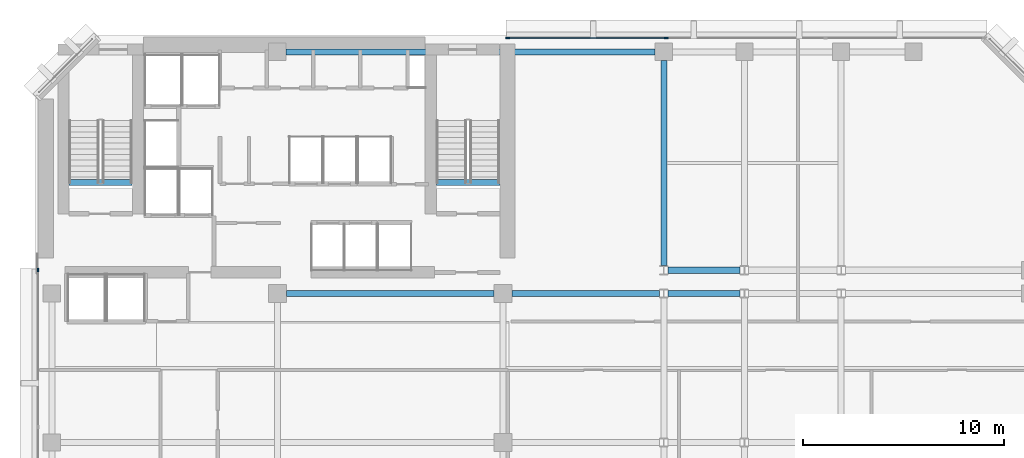
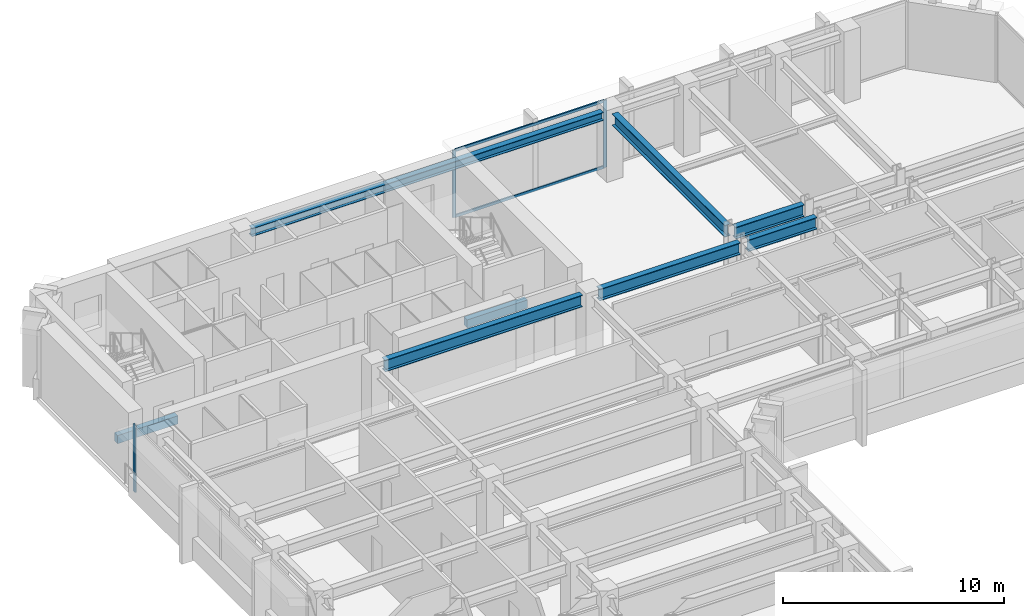
# One storey, part 4 of 11: 8 beams, 5 members, 2 elements without a shape of their own.
"""IFC4 building model written with IfcOpenShell, lengths in metres."""

from ifc_helpers import new_model, si_unit, direction, frame, origin, origin_2d, place, context, subcontext, project, spatial, rectangle, i_section, extrude, material, layer, layer_set, material_profile, profile_set, type_object, element, aggregate, save


model = new_model("IFC4")

# Units and contexts
model_context = context("Model", 3, precision=1e-05, world=origin(), true_north=direction((0.0, 1.0)))
body_context = subcontext(model_context, "Body", "Model", "MODEL_VIEW")
ifc_project = project(units=[si_unit("LENGTHUNIT", "METRE"), si_unit("AREAUNIT", "SQUARE_METRE"), si_unit("VOLUMEUNIT", "CUBIC_METRE"), si_unit("PLANEANGLEUNIT", "RADIAN"), si_unit("MASSUNIT", "GRAM", prefix="KILO")], contexts=[model_context])

# Site, building, storey
site_placement = place(None, origin())
site = spatial("IfcSite", under=ifc_project, at=site_placement, CompositionType="ELEMENT")
building_placement = place(site_placement, origin())
building = spatial("IfcBuilding", under=site, at=building_placement, Name="Kefirva Bronze Tower", CompositionType="ELEMENT")
storey_placement = place(building_placement, frame((0.0, 0.0, 142.889892578125)))
storey = spatial("IfcBuildingStorey", under=building, at=storey_placement, Name="L34", CompositionType="ELEMENT", Elevation=142.889892578125)

# Curtain wall, members
ifc_material_1 = material(Name="Bronze anodised aluminium", Category="aluminium")
ifc_layer = layer(ifc_material_1, 0.199951171875, Name="Bronze anodised aluminium")
ifc_layer_set = layer_set([ifc_layer], Name="Bronze anodised aluminium")
curtain_wall_type = type_object("IfcCurtainWallType", Name="Unitised Bronze Ribbon Curtain Wall Zone 2", PredefinedType="USERDEFINED", material=ifc_layer_set)
curtain_wall_1_placement = place(storey_placement, origin())
curtain_wall_1 = element("IfcCurtainWall", 1, at=curtain_wall_1_placement, inside=storey, type_object=curtain_wall_type, Name="L34 Curtain Wall 5", ObjectType="UNITISED CURTAIN WALL", PredefinedType="USERDEFINED")
ifc_material_profile_1 = material_profile(ifc_material_1, rectangle(XDim=0.074951171875, YDim=0.179931640625, at=origin_2d()), Name="ALU 75x180")
ifc_profile_set_1 = profile_set([ifc_material_profile_1], Name="Bronze anodised aluminium")
member_type_1 = type_object("IfcMemberType", Name="Bronze Mullion 75x180", PredefinedType="MULLION", material=ifc_profile_set_1)
member_1_placement = place(storey_placement, frame((31.318359375, 45.8798828125, 0.0), z_axis=(0.0, 0.0, 1.0), x_axis=(0.0, -1.0, 0.0)))
member_1 = element("IfcMember", 2, at=member_1_placement, type_object=member_type_1, Name="CW-02 mullion 3", PredefinedType="MULLION", context=body_context, shape_type="SweptSolid", body=[
    extrude(rectangle(XDim=0.074951171875, YDim=0.179931640625, at=origin_2d()), origin(), (0.0, 0.0, 1.0), 3.710205078125),
])
member_2_placement = place(storey_placement, frame((23.4423828125, 45.8798828125, 0.0), z_axis=(0.0, 0.0, 1.0), x_axis=(0.0, -1.0, 0.0)))
member_2 = element("IfcMember", 3, at=member_2_placement, type_object=member_type_1, Name="CW-02 mullion 4", PredefinedType="MULLION", context=body_context, shape_type="SweptSolid", body=[
    extrude(rectangle(XDim=0.074951171875, YDim=0.179931640625, at=origin_2d()), origin(), (0.0, 0.0, 1.0), 3.710205078125),
])

# Curtain wall, member
curtain_wall_2_placement = place(storey_placement, origin())
curtain_wall_2 = element("IfcCurtainWall", 4, at=curtain_wall_2_placement, inside=storey, type_object=curtain_wall_type, Name="L34 Curtain Wall 6", ObjectType="UNITISED CURTAIN WALL", PredefinedType="USERDEFINED")
member_3_placement = place(storey_placement, frame((0.1201171875, 34.357421875, 0.0), z_axis=(0.0, 0.0, 1.0), x_axis=(1.0, 0.0, 0.0)))
member_3 = element("IfcMember", 5, at=member_3_placement, type_object=member_type_1, Name="CW-02 mullion 1", PredefinedType="MULLION", context=body_context, shape_type="SweptSolid", body=[
    extrude(rectangle(XDim=0.074951171875, YDim=0.179931640625, at=origin_2d()), origin(), (0.0, 0.0, 1.0), 3.710205078125),
])
aggregate(curtain_wall_2, [member_3])

# Member
ifc_material_profile_2 = material_profile(ifc_material_1, rectangle(XDim=0.074951171875, YDim=0.14990234375, at=origin_2d()), Name="ALU 75x150")
ifc_profile_set_2 = profile_set([ifc_material_profile_2], Name="Bronze anodised aluminium")
member_type_2 = type_object("IfcMemberType", Name="Bronze Transom 75x150", PredefinedType="USERDEFINED", material=ifc_profile_set_2)
member_4_placement = place(storey_placement, frame((31.28076171875, 45.8798828125, 0.03759765625), z_axis=(-1.0, 0.0, 0.0), x_axis=(0.0, -1.0, 0.0)))
member_4 = element("IfcMember", 6, at=member_4_placement, type_object=member_type_2, Name="CW-02 transom 3.1", ObjectType="TRANSOM", PredefinedType="USERDEFINED", context=body_context, shape_type="SweptSolid", body=[
    extrude(rectangle(XDim=0.074951171875, YDim=0.14990234375, at=origin_2d()), origin(), (0.0, 0.0, 1.0), 7.80078125),
])

member_5_placement = place(storey_placement, frame((31.28076171875, 45.8798828125, 3.672607421875), z_axis=(-1.0, 0.0, 0.0), x_axis=(0.0, -1.0, 0.0)))
member_5 = element("IfcMember", 7, at=member_5_placement, type_object=member_type_2, Name="CW-02 transom 3.2", ObjectType="TRANSOM", PredefinedType="USERDEFINED", context=body_context, shape_type="SweptSolid", body=[
    extrude(rectangle(XDim=0.074951171875, YDim=0.14990234375, at=origin_2d()), origin(), (0.0, 0.0, 1.0), 7.80078125),
])

aggregate(curtain_wall_1, [member_1, member_2, member_4, member_5])

# Beams
ifc_material_2 = material(Name="Concrete C50/60", Category="concrete")
ifc_material_profile_3 = material_profile(ifc_material_2, rectangle(XDim=0.300048828125, YDim=0.449951171875, at=origin_2d()), Name="RC 300x450")
ifc_profile_set_3 = profile_set([ifc_material_profile_3], Name="Concrete C50/60")
beam_type_1 = type_object("IfcBeamType", Name="RC Stair Trimmer Beam 300x450", PredefinedType="BEAM", material=ifc_profile_set_3)
beam_1_placement = place(storey_placement, frame((1.64501953125, 38.699951171875, -0.224853515625), z_axis=(1.0, 0.0, 0.0), x_axis=(0.0, 1.0, 0.0)))
element("IfcBeam", 8, at=beam_1_placement, inside=storey, type_object=beam_type_1, Name="L34 Stair 1 Landing Trimmer Beam", PredefinedType="BEAM", context=body_context, shape_type="SweptSolid", body=[
    extrude(rectangle(XDim=0.300048828125, YDim=0.449951171875, at=origin_2d()), origin(), (0.0, 0.0, 1.0), 3.14990234375),
])
beam_2_placement = place(storey_placement, frame((19.89501953125, 38.699951171875, -0.224853515625), z_axis=(1.0, 0.0, 0.0), x_axis=(0.0, 1.0, 0.0)))
element("IfcBeam", 9, at=beam_2_placement, inside=storey, type_object=beam_type_1, Name="L34 Stair 2 Landing Trimmer Beam", PredefinedType="BEAM", context=body_context, shape_type="SweptSolid", body=[
    extrude(rectangle(XDim=0.300048828125, YDim=0.449951171875, at=origin_2d()), origin(), (0.0, 0.0, 1.0), 3.159912109375),
])
ifc_material_3 = material(Name="Steel S355", Category="steel")
ifc_material_profile_4 = material_profile(ifc_material_3, i_section(OverallWidth=0.300048828125, OverallDepth=0.64990234375, WebThickness=0.01611328125, FlangeThickness=0.031005859375, at=origin_2d()), Name="HEB 650")
ifc_profile_set_4 = profile_set([ifc_material_profile_4], Name="Steel S355")
beam_type_2 = type_object("IfcBeamType", Name="Steel Girder HEB 650", PredefinedType="USERDEFINED", material=ifc_profile_set_4)
beam_3_placement = place(storey_placement, frame((12.449951171875, 33.199951171875, 3.385009765625), z_axis=(1.0, 0.0, 0.0), x_axis=(0.0, 1.0, 0.0)))
element("IfcBeam", 10, at=beam_3_placement, inside=storey, type_object=beam_type_2, Name="L34 BM-L34-EW-12-332", ObjectType="GIRDER", PredefinedType="USERDEFINED", context=body_context, shape_type="SweptSolid", body=[
    extrude(i_section(OverallWidth=0.300048828125, OverallDepth=0.64990234375, WebThickness=0.01611328125, FlangeThickness=0.031005859375, at=origin_2d()), origin(), (0.0, 0.0, 1.0), 10.300048828125),
])
beam_4_placement = place(storey_placement, frame((23.64990234375, 33.199951171875, 3.385009765625), z_axis=(1.0, 0.0, 0.0), x_axis=(0.0, 1.0, 0.0)))
element("IfcBeam", 11, at=beam_4_placement, inside=storey, type_object=beam_type_2, Name="L34 BM-L34-EW-23-332", ObjectType="GIRDER", PredefinedType="USERDEFINED", context=body_context, shape_type="SweptSolid", body=[
    extrude(i_section(OverallWidth=0.300048828125, OverallDepth=0.64990234375, WebThickness=0.01611328125, FlangeThickness=0.031005859375, at=origin_2d()), origin(), (0.0, 0.0, 1.0), 7.341064453125),
])
for number, where, z_axis, x_axis, name in (
    (12, (31.408935546875, 33.199951171875, 3.385009765625), (1.0, 0.0, 0.0), (0.0, 1.0, 0.0), "L34 BM-L34-EW-31-332"),
    (13, (31.408935546875, 34.35009765625, 3.385009765625), (1.0, 0.0, 0.0), (0.0, 1.0, 0.0), "L34 BM-L34-EW-31-344"),
):
    element("IfcBeam", number, at=place(storey_placement, frame(where, z_axis=z_axis, x_axis=x_axis)), inside=storey, type_object=beam_type_2, Name=name, ObjectType="GIRDER", PredefinedType="USERDEFINED", context=body_context, shape_type="SweptSolid", body=[
        extrude(i_section(OverallWidth=0.300048828125, OverallDepth=0.64990234375, WebThickness=0.01611328125, FlangeThickness=0.031005859375, at=origin_2d()), origin(), (0.0, 0.0, 1.0), 3.58203125),
    ])
beam_5_placement = place(storey_placement, frame((31.199951171875, 34.577392578125, 3.385009765625), z_axis=(0.0, 1.0, 0.0), x_axis=(-1.0, 0.0, 0.0)))
element("IfcBeam", 14, at=beam_5_placement, inside=storey, type_object=beam_type_2, Name="L34 BM-L34-NS-312-34", ObjectType="GIRDER", PredefinedType="USERDEFINED", context=body_context, shape_type="SweptSolid", body=[
    extrude(i_section(OverallWidth=0.300048828125, OverallDepth=0.64990234375, WebThickness=0.01611328125, FlangeThickness=0.031005859375, at=origin_2d()), origin(), (0.0, 0.0, 1.0), 10.192626953125),
])
ifc_material_profile_5 = material_profile(ifc_material_3, i_section(OverallWidth=0.300048828125, OverallDepth=0.449951171875, WebThickness=0.013916015625, FlangeThickness=0.02587890625, at=origin_2d()), Name="HEB 450")
ifc_profile_set_5 = profile_set([ifc_material_profile_5], Name="Steel S355")
beam_type_3 = type_object("IfcBeamType", Name="Steel Spandrel HEB 450 Ext", PredefinedType="SPANDREL", material=ifc_profile_set_5)
beam_6_placement = place(storey_placement, frame((12.429931640625, 45.199951171875, 3.485107421875), z_axis=(1.0, 0.0, 0.0), x_axis=(0.0, 1.0, 0.0)))
element("IfcBeam", 15, at=beam_6_placement, inside=storey, type_object=beam_type_3, Name="L34 BM-L34-EW-12-452", PredefinedType="SPANDREL", context=body_context, shape_type="SweptSolid", body=[
    extrude(i_section(OverallWidth=0.300048828125, OverallDepth=0.449951171875, WebThickness=0.013916015625, FlangeThickness=0.02587890625, at=origin_2d()), origin(), (0.0, 0.0, 1.0), 18.340087890625),
])

save(model, "model.ifc")
